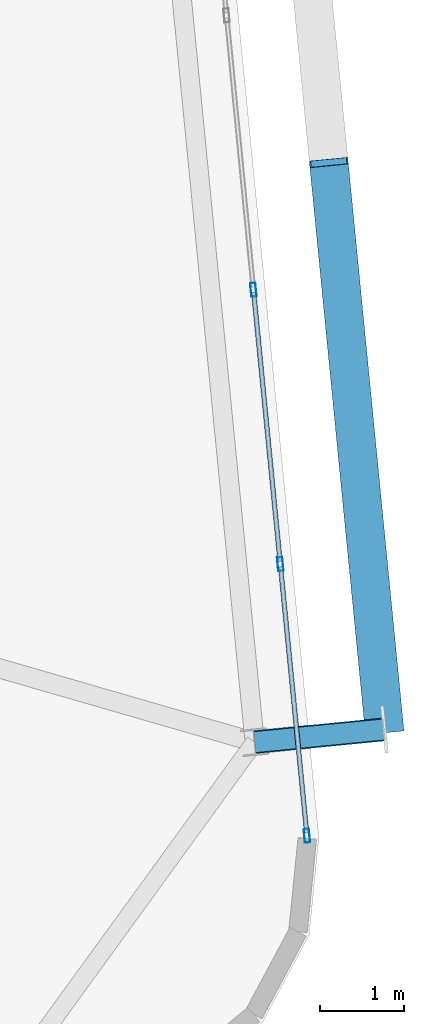
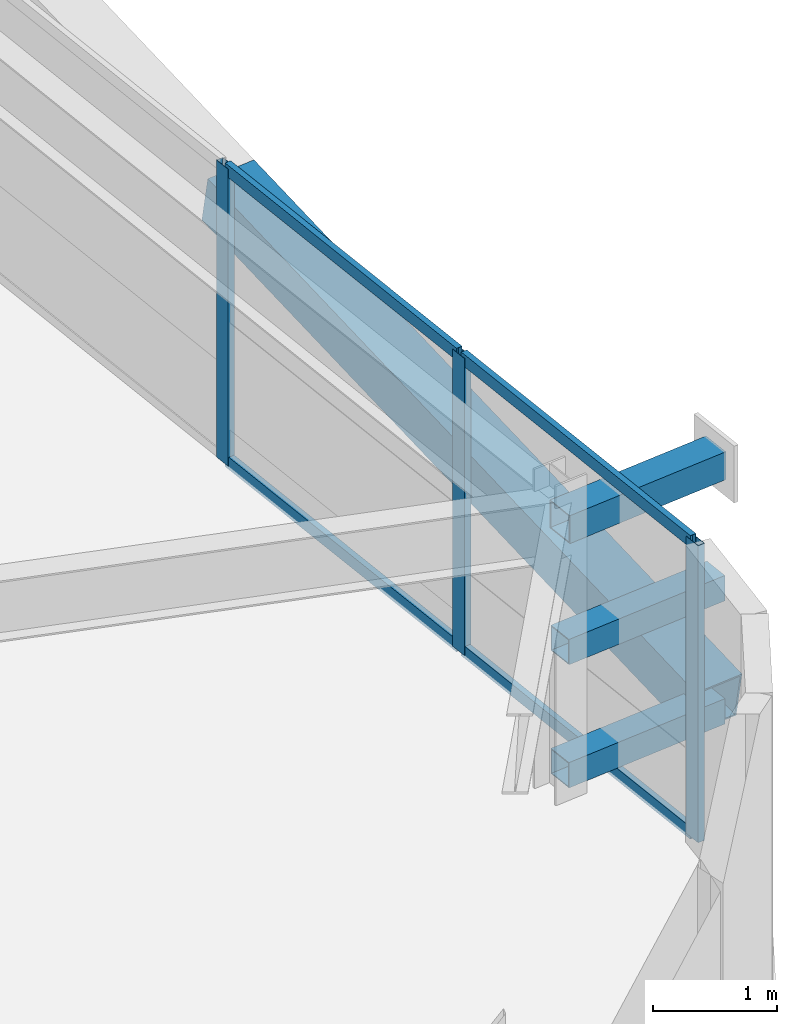
# One storey, part 22 of 52: 11 members, 1 element without a shape of its own.
"""IFC4 building model written with IfcOpenShell, lengths in metres."""

from ifc_helpers import new_model, si_unit, direction, frame, origin, origin_2d, place, context, subcontext, project, spatial, hollow_rectangle, extrude, source, transform, mapped, material, layer, layer_set, material_profile, profile_set, type_object, element, aggregate, save


model = new_model("IFC4")

# Units and contexts
model_context = context("Model", 3, precision=1e-05, world=origin(), true_north=direction((0.0, 1.0)))
body_context = subcontext(model_context, "Body", "Model", "MODEL_VIEW")
ifc_project = project(units=[si_unit("LENGTHUNIT", "METRE"), si_unit("AREAUNIT", "SQUARE_METRE"), si_unit("VOLUMEUNIT", "CUBIC_METRE"), si_unit("PLANEANGLEUNIT", "RADIAN"), si_unit("MASSUNIT", "GRAM", prefix="KILO")], contexts=[model_context])

# Site, building, storey
site_placement = place(None, origin())
site = spatial("IfcSite", under=ifc_project, at=site_placement, CompositionType="ELEMENT")
building_placement = place(site_placement, origin())
building = spatial("IfcBuilding", under=site, at=building_placement, Name="Taldren Reach Tower", CompositionType="ELEMENT")
storey_placement = place(building_placement, frame((0.0, 0.0, 93.449951171875)))
storey = spatial("IfcBuildingStorey", under=building, at=storey_placement, Name="L28", CompositionType="ELEMENT", Elevation=93.449951171875)

# Members
ifc_material_1 = material(Name="Steel Gr 450 (C450L0)", Category="steel")
ifc_material_profile_1 = material_profile(ifc_material_1, hollow_rectangle(XDim=0.27490234375, YDim=0.27490234375, WallThickness=0.00927734375, at=origin_2d()), Name="275x275x9.3SHS")
ifc_profile_set_1 = profile_set([ifc_material_profile_1], Name="Steel Gr 450 (C450L0)")
member_type_1 = type_object("IfcMemberType", Name="MB-TIE273", PredefinedType="STRUT", material=ifc_profile_set_1)
shared_shape_1 = source(origin(), body_context, "Body", "SweptSolid", [
    extrude(hollow_rectangle(XDim=0.27490234375, YDim=0.27490234375, WallThickness=0.00927734375, at=origin_2d()), origin(), (0.0, 0.0, 1.0), 1.550048828125),
])
member_1_placement = place(storey_placement, frame((65.8916015625, 8.483642578125, 2.650146484375), z_axis=(0.995236318924, 0.097491894511, 0.0), x_axis=(-0.097491894511, 0.995236318924, 0.0)))
element("IfcMember", 1, at=member_1_placement, inside=storey, type_object=member_type_1, Name="Exoskeleton diaphragm tie strut B2-E1 L28", PredefinedType="STRUT", context=body_context, shape_type="MappedRepresentation", body=[
    mapped(shared_shape_1, transform((0.0, 0.0, 0.0), scale=1.0)),
])
ifc_material_2 = material(Name="Steel Gr 350 (C350L0)", Category="steel")
ifc_material_profile_2 = material_profile(ifc_material_2, hollow_rectangle(XDim=0.25, YDim=0.25, WallThickness=0.010009765625, at=origin_2d()), Name="250x250x10.0SHS")
ifc_profile_set_2 = profile_set([ifc_material_profile_2], Name="Steel Gr 350 (C350L0)")
member_type_2 = type_object("IfcMemberType", Name="MB-POST250", PredefinedType="POST", material=ifc_profile_set_2)
shared_shape_2 = source(origin(), body_context, "Body", "SweptSolid", [
    extrude(hollow_rectangle(XDim=0.25, YDim=0.25, WallThickness=0.010009765625, at=origin_2d()), origin(), (0.0, 0.0, 1.0), 1.550048828125),
])
for number, where, z_axis, x_axis, name in (
    (2, (65.8916015625, 8.483642578125, 0.219970703125), (0.995236318924, 0.097491894511, 0.0), (-0.097491894511, 0.995236318924, 0.0), "Exoskeleton base diaphragm tie strut B2-E1 L28"),
    (3, (65.8916015625, 8.483642578125, 1.43505859375), (0.995236318924, 0.097491894511, 0.0), (-0.097491894511, 0.995236318924, 0.0), "Exoskeleton mid-tier diaphragm tie B2-E1 L28"),
):
    element("IfcMember", number, at=place(storey_placement, frame(where, z_axis=z_axis, x_axis=x_axis)), inside=storey, type_object=member_type_2, Name=name, PredefinedType="POST", context=body_context, shape_type="MappedRepresentation", body=[
        mapped(shared_shape_2, transform((0.0, 0.0, 0.0), scale=1.0)),
    ])
ifc_material_profile_3 = material_profile(ifc_material_1, hollow_rectangle(XDim=0.4599609375, YDim=0.4599609375, WallThickness=0.01611328125, at=origin_2d()), Name="460x460x16.0SHS")
ifc_profile_set_3 = profile_set([ifc_material_profile_3], Name="Steel Gr 450 (C450L0)")
member_type_3 = type_object("IfcMemberType", Name="MB-EXO457", PredefinedType="BRACE", material=ifc_profile_set_3)
shared_shape_3 = source(origin(), body_context, "Body", "SweptSolid", [
    extrude(hollow_rectangle(XDim=0.4599609375, YDim=0.4599609375, WallThickness=0.01611328125, at=origin_2d()), origin(), (0.0, 0.0, 1.0), 6.883056640625),
])
member_2_placement = place(storey_placement, frame((67.434326171875, 8.634765625, 0.219970703125), z_axis=(-0.09605145821, 0.97959718347, 0.176531797456), x_axis=(-0.995227290009, -0.097584021339, 0.0)))
element("IfcMember", 4, at=member_2_placement, inside=storey, type_object=member_type_3, Name="Exoskeleton Diagrid Brace B2-E1 L28", PredefinedType="BRACE", context=body_context, shape_type="MappedRepresentation", body=[
    mapped(shared_shape_3, transform((0.0, 0.0, 0.0), scale=1.0)),
])

# Curtain wall, members
ifc_material_3 = material(Name="Aluminium and Low-E Glass Unitised System", Category="aluminium")
ifc_layer = layer(ifc_material_3, 0.159912109375)
ifc_layer_set = layer_set([ifc_layer], Name="Aluminium and Low-E Glass Unitised System")
curtain_wall_type = type_object("IfcCurtainWallType", Name="CW-SYS-3", PredefinedType="NOTDEFINED", material=ifc_layer_set)
curtain_wall_placement = place(storey_placement, origin())
curtain_wall = element("IfcCurtainWall", 5, at=curtain_wall_placement, inside=storey, type_object=curtain_wall_type, Name="Unitised curtain wall CW-L28-E", PredefinedType="NOTDEFINED")
ifc_material_4 = material(Name="Anodised Aluminium 6063-T6", Category="aluminium")
ifc_material_profile_4 = material_profile(ifc_material_4, hollow_rectangle(XDim=0.06494140625, YDim=0.1650390625, WallThickness=0.00390625, at=origin_2d()), Name="ALU-165x65x4RHS")
ifc_profile_set_4 = profile_set([ifc_material_profile_4], Name="Anodised Aluminium 6063-T6")
member_type_4 = type_object("IfcMemberType", Name="CW-MUL-165", PredefinedType="MULLION", material=ifc_profile_set_4)
shared_shape_4 = source(origin(), body_context, "Body", "SweptSolid", [
    extrude(hollow_rectangle(XDim=0.06494140625, YDim=0.1650390625, WallThickness=0.00390625, at=origin_2d()), origin(), (0.0, 0.0, 1.0), 2.929931640625),
])
member_3_placement = place(storey_placement, frame((66.51318359375, 7.371337890625, 0.0), z_axis=(0.0, 0.0, 1.0), x_axis=(-0.99522741555, -0.09758274098, 0.0)))
member_3 = element("IfcMember", 6, at=member_3_placement, type_object=member_type_4, Name="CW-3 mullion 1", PredefinedType="MULLION", context=body_context, shape_type="MappedRepresentation", body=[
    mapped(shared_shape_4, transform((0.0, 0.0, 0.0), scale=1.0)),
])
member_4_placement = place(storey_placement, frame((66.196533203125, 10.60107421875, 0.0), z_axis=(0.0, 0.0, 1.0), x_axis=(-0.99522741555, -0.09758274098, 0.0)))
member_4 = element("IfcMember", 7, at=member_4_placement, type_object=member_type_4, Name="CW-3 mullion 2", PredefinedType="MULLION", context=body_context, shape_type="MappedRepresentation", body=[
    mapped(shared_shape_4, transform((0.0, 0.0, 0.0), scale=1.0)),
])
member_5_placement = place(storey_placement, frame((65.876708984375, 13.86328125, 0.0), z_axis=(0.0, 0.0, 1.0), x_axis=(-0.99522741555, -0.09758274098, 0.0)))
member_5 = element("IfcMember", 8, at=member_5_placement, type_object=member_type_4, Name="CW-3 mullion 3", PredefinedType="MULLION", context=body_context, shape_type="MappedRepresentation", body=[
    mapped(shared_shape_4, transform((0.0, 0.0, 0.0), scale=1.0)),
])
ifc_material_profile_5 = material_profile(ifc_material_4, hollow_rectangle(XDim=0.054931640625, YDim=0.1201171875, WallThickness=0.0029296875, at=origin_2d()), Name="ALU-120x55x3RHS")
ifc_profile_set_5 = profile_set([ifc_material_profile_5], Name="Anodised Aluminium 6063-T6")
member_type_5 = type_object("IfcMemberType", Name="CW-TRN-135", PredefinedType="USERDEFINED", material=ifc_profile_set_5)
shared_shape_5 = source(origin(), body_context, "Body", "SweptSolid", [
    extrude(hollow_rectangle(XDim=0.054931640625, YDim=0.1201171875, WallThickness=0.0029296875, at=origin_2d()), origin(), (0.0, 0.0, 1.0), 3.18017578125),
])
member_6_placement = place(storey_placement, frame((66.510009765625, 7.40380859375, 0.027587890625), z_axis=(-0.097572914968, 0.995228378949, 0.0), x_axis=(-0.995228378949, -0.097572914968, 0.0)))
member_6 = element("IfcMember", 9, at=member_6_placement, type_object=member_type_5, Name="CW-3 transom 1.1", ObjectType="TRANSOM", PredefinedType="USERDEFINED", context=body_context, shape_type="MappedRepresentation", body=[
    mapped(shared_shape_5, transform((0.0, 0.0, 0.0), scale=1.0)),
])
member_7_placement = place(storey_placement, frame((66.510009765625, 7.40380859375, 2.902587890625), z_axis=(-0.097572914968, 0.995228378949, 0.0), x_axis=(-0.995228378949, -0.097572914968, 0.0)))
member_7 = element("IfcMember", 10, at=member_7_placement, type_object=member_type_5, Name="CW-3 transom 1.2", ObjectType="TRANSOM", PredefinedType="USERDEFINED", context=body_context, shape_type="MappedRepresentation", body=[
    mapped(shared_shape_5, transform((0.0, 0.0, 0.0), scale=1.0)),
])
shared_shape_6 = source(origin(), body_context, "Body", "SweptSolid", [
    extrude(hollow_rectangle(XDim=0.054931640625, YDim=0.1201171875, WallThickness=0.0029296875, at=origin_2d()), origin(), (0.0, 0.0, 1.0), 3.212890625),
])
member_8_placement = place(storey_placement, frame((66.193359375, 10.633544921875, 0.027587890625), z_axis=(-0.097569948235, 0.995228669805, 0.0), x_axis=(-0.995228669805, -0.097569948235, 0.0)))
member_8 = element("IfcMember", 11, at=member_8_placement, type_object=member_type_5, Name="CW-3 transom 2.1", ObjectType="TRANSOM", PredefinedType="USERDEFINED", context=body_context, shape_type="MappedRepresentation", body=[
    mapped(shared_shape_6, transform((0.0, 0.0, 0.0), scale=1.0)),
])
member_9_placement = place(storey_placement, frame((66.193359375, 10.633544921875, 2.902587890625), z_axis=(-0.097569948235, 0.995228669805, 0.0), x_axis=(-0.995228669805, -0.097569948235, 0.0)))
member_9 = element("IfcMember", 12, at=member_9_placement, type_object=member_type_5, Name="CW-3 transom 2.2", ObjectType="TRANSOM", PredefinedType="USERDEFINED", context=body_context, shape_type="MappedRepresentation", body=[
    mapped(shared_shape_6, transform((0.0, 0.0, 0.0), scale=1.0)),
])
aggregate(curtain_wall, [member_3, member_4, member_5, member_6, member_7, member_8, member_9])

save(model, "model.ifc")
